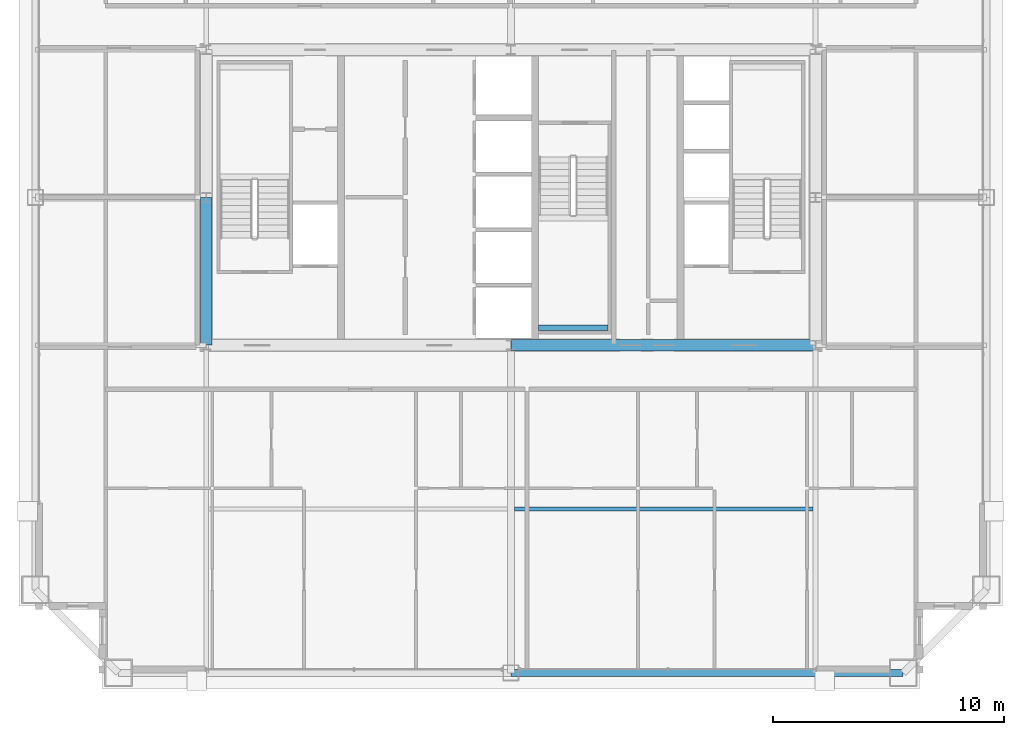
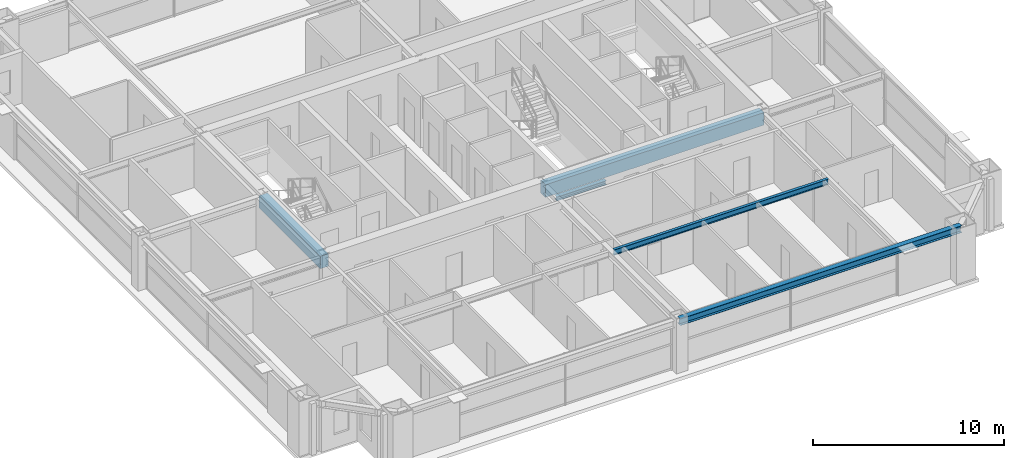
# One storey, part 12 of 36: 5 beams.
"""IFC4 building model written with IfcOpenShell, lengths in metres."""

from ifc_helpers import new_model, si_unit, direction, frame, origin, origin_2d, place, context, subcontext, project, spatial, rectangle, i_section, extrude, source, transform, mapped, material, material_profile, profile_set, type_object, element, save


model = new_model("IFC4")

# Units and contexts
model_context = context("Model", 3, precision=1e-05, world=origin(), true_north=direction((0.0, 1.0)))
body_context = subcontext(model_context, "Body", "Model", "MODEL_VIEW")
ifc_project = project(units=[si_unit("LENGTHUNIT", "METRE"), si_unit("AREAUNIT", "SQUARE_METRE"), si_unit("VOLUMEUNIT", "CUBIC_METRE"), si_unit("PLANEANGLEUNIT", "RADIAN"), si_unit("MASSUNIT", "GRAM", prefix="KILO"), si_unit("THERMODYNAMICTEMPERATUREUNIT", "KELVIN"), si_unit("POWERUNIT", "WATT")], contexts=[model_context])

# Site, building, storey
site_placement = place(None, origin())
site = spatial("IfcSite", under=ifc_project, at=site_placement, CompositionType="ELEMENT")
building_placement = place(site_placement, origin())
building = spatial("IfcBuilding", under=site, at=building_placement, Name="Yuzanri Waterfront Tower", CompositionType="ELEMENT")
storey_placement = place(building_placement, frame((0.0, 0.0, 224.10009765625)))
storey = spatial("IfcBuildingStorey", under=building, at=storey_placement, Name="L59", CompositionType="ELEMENT", Elevation=224.10009765625)

# Beams
ifc_material_1 = material(Name="Concrete C50", Category="concrete")
ifc_material_profile_1 = material_profile(ifc_material_1, rectangle(XDim=0.5, YDim=0.800048828125, at=origin_2d()), Name="RC 500x800")
ifc_profile_set_1 = profile_set([ifc_material_profile_1], Name="Concrete C50")
beam_type_1 = type_object("IfcBeamType", Name="Core Coupling Lintel Concrete C50 500x800", PredefinedType="LINTEL", material=ifc_profile_set_1)
shared_shape_1 = source(origin(), body_context, "Body", "SweptSolid", [
    extrude(rectangle(XDim=0.5, YDim=0.800048828125, at=origin_2d()), origin(), (0.0, 0.0, 1.0), 13.199951171875),
])
beam_1_placement = place(storey_placement, frame((37.0, 19.39990234375, 2.8798828125), z_axis=(1.0, 0.0, 0.0), x_axis=(0.0, 1.0, 0.0)))
element("IfcBeam", 1, at=beam_1_placement, inside=storey, type_object=beam_type_1, Name="L59 Core Tie Beam CS2", PredefinedType="LINTEL", context=body_context, shape_type="MappedRepresentation", body=[
    mapped(shared_shape_1, transform((0.0, 0.0, 0.0), scale=1.0)),
])
shared_shape_2 = source(origin(), body_context, "Body", "SweptSolid", [
    extrude(rectangle(XDim=0.5, YDim=0.800048828125, at=origin_2d()), origin(), (0.0, 0.0, 1.0), 6.400146484375),
])
beam_2_placement = place(storey_placement, frame((23.800048828125, 19.39990234375, 2.8798828125), z_axis=(0.0, 1.0, 0.0), x_axis=(-1.0, 0.0, 0.0)))
element("IfcBeam", 2, at=beam_2_placement, inside=storey, type_object=beam_type_1, Name="L59 Core Tie Beam CW1", PredefinedType="LINTEL", context=body_context, shape_type="MappedRepresentation", body=[
    mapped(shared_shape_2, transform((0.0, 0.0, 0.0), scale=1.0)),
])
ifc_material_2 = material(Name="Steel Q355B", Category="steel")
ifc_material_profile_2 = material_profile(ifc_material_2, i_section(OverallWidth=0.300048828125, OverallDepth=0.43994140625, WebThickness=0.010986328125, FlangeThickness=0.01806640625, at=origin_2d()), Name="HM 440x300x11x18")
ifc_profile_set_2 = profile_set([ifc_material_profile_2], Name="Steel Q355B")
beam_type_2 = type_object("IfcBeamType", Name="Perimeter Spandrel Q355B HM 440x300", PredefinedType="SPANDREL", material=ifc_profile_set_2)
shared_shape_3 = source(origin(), body_context, "Body", "SweptSolid", [
    extrude(i_section(OverallWidth=0.300048828125, OverallDepth=0.43994140625, WebThickness=0.010986328125, FlangeThickness=0.01806640625, at=origin_2d()), origin(), (0.0, 0.0, 1.0), 17.0),
])
beam_3_placement = place(storey_placement, frame((37.0, 5.199951171875, 3.059814453125), z_axis=(1.0, 0.0, 0.0), x_axis=(0.0, 1.0, 0.0)))
element("IfcBeam", 3, at=beam_3_placement, inside=storey, type_object=beam_type_2, Name="L59 Perimeter Spandrel S2-S3", PredefinedType="SPANDREL", context=body_context, shape_type="MappedRepresentation", body=[
    mapped(shared_shape_3, transform((0.0, 0.0, 0.0), scale=1.0)),
])
ifc_material_3 = material(Name="Steel Q355B", Category="steel")
ifc_material_profile_3 = material_profile(ifc_material_3, i_section(OverallWidth=0.175048828125, OverallDepth=0.35009765625, WebThickness=0.007080078125, FlangeThickness=0.010986328125, at=origin_2d()), Name="HN 350x175x7x11")
ifc_profile_set_3 = profile_set([ifc_material_profile_3], Name="Steel Q355B")
beam_type_3 = type_object("IfcBeamType", Name="Floor Joist Q355B HN 350x175", PredefinedType="JOIST", material=ifc_profile_set_3)
shared_shape_4 = source(origin(), body_context, "Body", "SweptSolid", [
    extrude(i_section(OverallWidth=0.175048828125, OverallDepth=0.35009765625, WebThickness=0.007080078125, FlangeThickness=0.010986328125, at=origin_2d()), origin(), (0.0, 0.0, 1.0), 12.9501953125),
])
beam_4_placement = place(storey_placement, frame((37.14990234375, 12.300048828125, 3.10498046875), z_axis=(1.0, 0.0, 0.0), x_axis=(0.0, 1.0, 0.0)))
element("IfcBeam", 4, at=beam_4_placement, inside=storey, type_object=beam_type_3, Name="L59 South Bay Joist E", PredefinedType="JOIST", context=body_context, shape_type="MappedRepresentation", body=[
    mapped(shared_shape_4, transform((0.0, 0.0, 0.0), scale=1.0)),
])
ifc_material_4 = material(Name="Steel Q355B", Category="steel")
ifc_material_profile_4 = material_profile(ifc_material_4, i_section(OverallWidth=0.25, OverallDepth=0.25, WebThickness=0.009033203125, FlangeThickness=0.013916015625, at=origin_2d()), Name="HW 250x250x9x14")
ifc_profile_set_4 = profile_set([ifc_material_profile_4], Name="Steel Q355B")
beam_type_4 = type_object("IfcBeamType", Name="Stair Landing Support Beam Q355B HW 250x250", PredefinedType="BEAM", material=ifc_profile_set_4)
shared_shape_5 = source(origin(), body_context, "Body", "SweptSolid", [
    extrude(i_section(OverallWidth=0.25, OverallDepth=0.25, WebThickness=0.009033203125, FlangeThickness=0.013916015625, at=origin_2d()), origin(), (0.0, 0.0, 1.0), 3.0),
])
beam_5_placement = place(storey_placement, frame((38.199951171875, 20.14990234375, 1.4248046875), z_axis=(1.0, 0.0, 0.0), x_axis=(0.0, 1.0, 0.0)))
element("IfcBeam", 5, at=beam_5_placement, inside=storey, type_object=beam_type_4, Name="L59 Stair Landing Support Beam ST-03-L59-L1-1", PredefinedType="BEAM", context=body_context, shape_type="MappedRepresentation", body=[
    mapped(shared_shape_5, transform((0.0, 0.0, 0.0), scale=1.0)),
])

save(model, "model.ifc")
